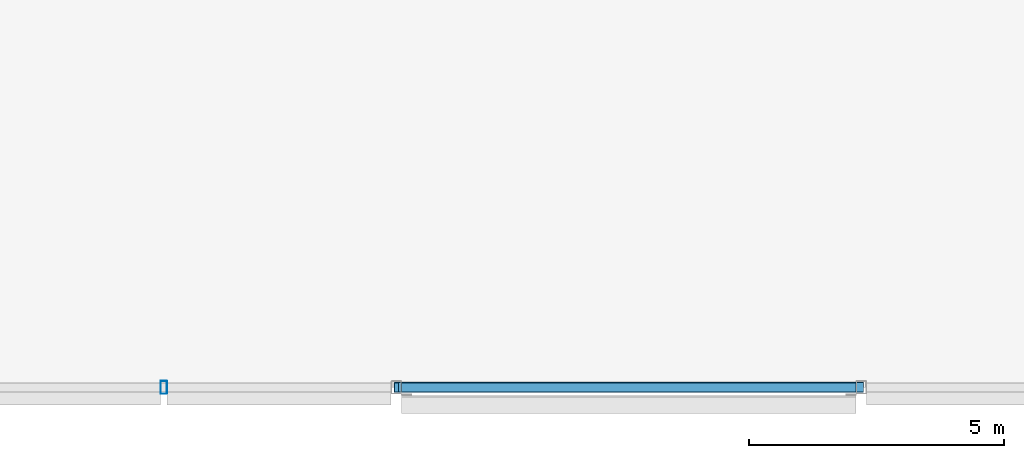
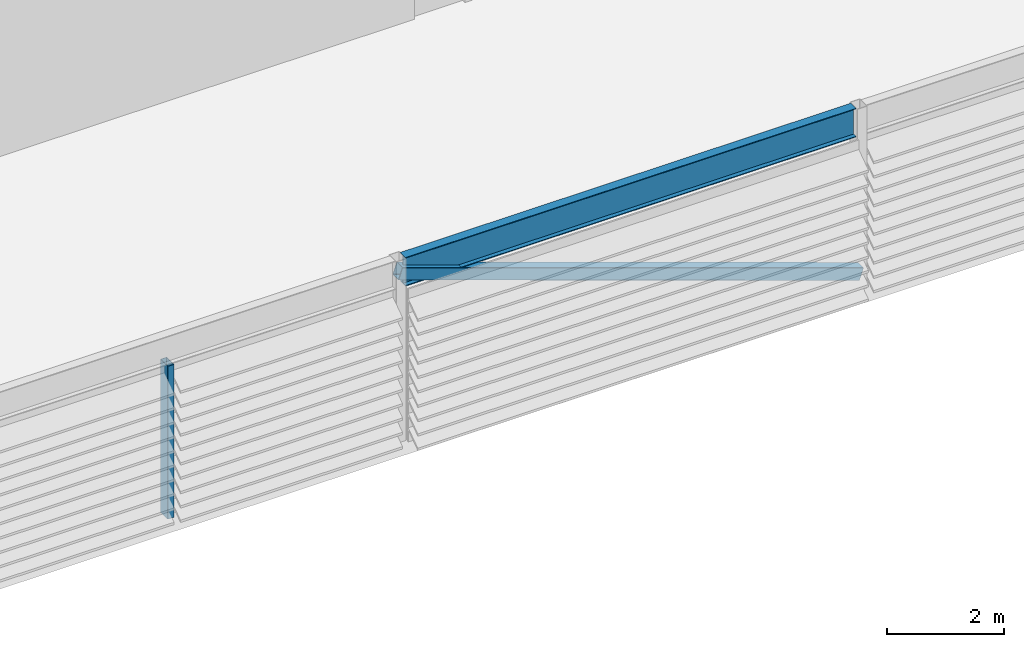
# One storey, part 6 of 28: 2 members, 1 beam.
"""IFC4 building model written with IfcOpenShell, lengths in metres."""

from ifc_helpers import new_model, si_unit, direction, frame, origin, origin_2d, place, context, subcontext, project, spatial, hollow_rectangle, i_section, extrude, material, material_profile, profile_set, type_object, element, save


model = new_model("IFC4")

# Units and contexts
model_context = context("Model", 3, precision=1e-05, world=origin(), true_north=direction((0.0, 1.0)))
body_context = subcontext(model_context, "Body", "Model", "MODEL_VIEW")
ifc_project = project(units=[si_unit("LENGTHUNIT", "METRE"), si_unit("AREAUNIT", "SQUARE_METRE"), si_unit("VOLUMEUNIT", "CUBIC_METRE"), si_unit("PLANEANGLEUNIT", "RADIAN"), si_unit("MASSUNIT", "GRAM", prefix="KILO")], contexts=[model_context])

# Site, building, storey
site_placement = place(None, origin())
site = spatial("IfcSite", under=ifc_project, at=site_placement, CompositionType="ELEMENT")
building_placement = place(site_placement, origin())
building = spatial("IfcBuilding", under=site, at=building_placement, Name="Madar Terraces", CompositionType="ELEMENT")
storey_placement = place(building_placement, frame((0.0, 0.0, 305.89990234375)))
storey = spatial("IfcBuildingStorey", under=building, at=storey_placement, Name="L79", CompositionType="ELEMENT", Elevation=305.89990234375)

# Beam
ifc_material_1 = material(Name="Steel ASTM A992 Grade 50", Category="steel")
ifc_material_profile_1 = material_profile(ifc_material_1, i_section(OverallWidth=0.1787109375, OverallDepth=0.60205078125, WebThickness=0.010986328125, FlangeThickness=0.014892578125, at=origin_2d()), Name="W24x62")
ifc_profile_set_1 = profile_set([ifc_material_profile_1], Name="Steel ASTM A992 Grade 50")
beam_type = type_object("IfcBeamType", Name="CF2 W24x62", PredefinedType="BEAM", material=ifc_profile_set_1)
beam_placement = place(storey_placement, frame((24.341552734375, 1.199951171875, 3.4990234375), z_axis=(1.0, 0.0, 0.0), x_axis=(0.0, 1.0, 0.0)))
element("IfcBeam", 1, at=beam_placement, inside=storey, type_object=beam_type, Name="Crown frame ring beam CF2", PredefinedType="BEAM", context=body_context, shape_type="SweptSolid", body=[
    extrude(i_section(OverallWidth=0.1787109375, OverallDepth=0.60205078125, WebThickness=0.010986328125, FlangeThickness=0.014892578125, at=origin_2d()), origin(), (0.0, 0.0, 1.0), 8.916748046875),
])

# Members
ifc_material_2 = material(Name="Steel ASTM A500 Grade C", Category="steel")
ifc_material_profile_2 = material_profile(ifc_material_2, hollow_rectangle(XDim=0.203125, YDim=0.25390625, WallThickness=0.009521484375, InnerFilletRadius=0.00439453125, OuterFilletRadius=0.01318359375, at=origin_2d()), Name="HSS10x8x.375")
ifc_profile_set_2 = profile_set([ifc_material_profile_2], Name="Steel ASTM A500 Grade C")
member_type_1 = type_object("IfcMemberType", Name="CF5 crown frame brace HSS10x8x.375", PredefinedType="BRACE", material=ifc_profile_set_2)
member_1_placement = place(storey_placement, frame((24.239990234375, 1.199951171875, 3.4990234375), z_axis=(0.943634451591, 0.0, -0.3309894587), x_axis=(0.0, 1.0, 0.0)))
element("IfcMember", 2, at=member_1_placement, inside=storey, type_object=member_type_1, Name="Crown frame brace CF5", PredefinedType="BRACE", context=body_context, shape_type="SweptSolid", body=[
    extrude(hollow_rectangle(XDim=0.203125, YDim=0.25390625, WallThickness=0.009521484375, InnerFilletRadius=0.00439453125, OuterFilletRadius=0.01318359375, at=origin_2d()), origin(), (0.0, 0.0, 1.0), 9.664794921875),
])
ifc_material_3 = material(Name="Steel ASTM A500 Grade C", Category="steel")
ifc_material_profile_3 = material_profile(ifc_material_3, hollow_rectangle(XDim=0.126953125, YDim=0.25390625, WallThickness=0.00634765625, InnerFilletRadius=0.0029296875, OuterFilletRadius=0.0087890625, at=origin_2d()), Name="HSS10x5x.25")
ifc_profile_set_3 = profile_set([ifc_material_profile_3], Name="Steel ASTM A500 Grade C")
member_type_2 = type_object("IfcMemberType", Name="LS2 HSS10x5x.25", PredefinedType="POST", material=ifc_profile_set_3)
member_2_placement = place(storey_placement, frame((19.679931640625, 1.199951171875, 0.0), z_axis=(0.0, 0.0, 1.0), x_axis=(1.0, 0.0, 0.0)))
element("IfcMember", 3, at=member_2_placement, inside=storey, type_object=member_type_2, Name="Crown louvre post LS2", PredefinedType="POST", context=body_context, shape_type="SweptSolid", body=[
    extrude(hollow_rectangle(XDim=0.126953125, YDim=0.25390625, WallThickness=0.00634765625, InnerFilletRadius=0.0029296875, OuterFilletRadius=0.0087890625, at=origin_2d()), origin(), (0.0, 0.0, 1.0), 3.197998046875),
])

save(model, "model.ifc")
